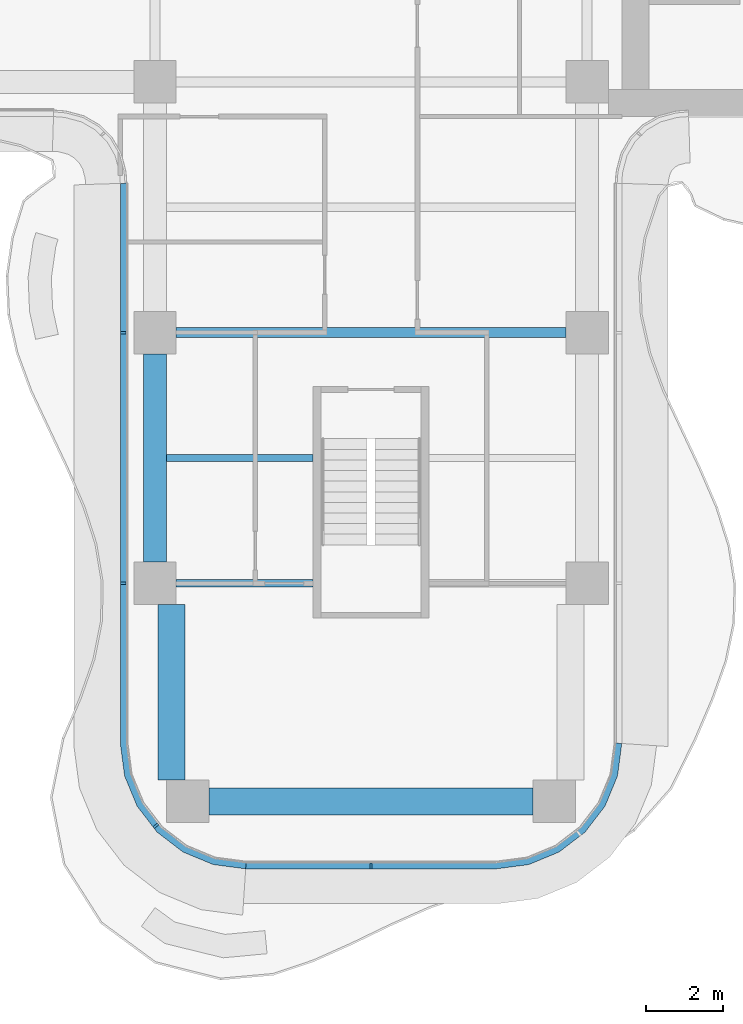
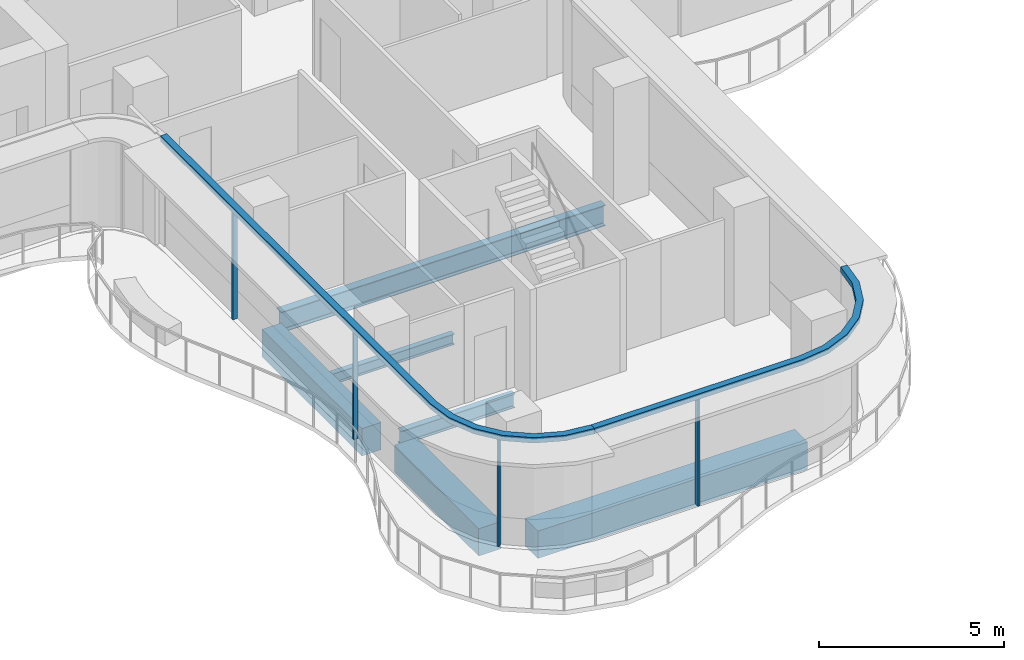
# One storey, part 2 of 19: 6 beams, 6 members, 2 elements without a shape of their own.
"""IFC4 building model written with IfcOpenShell, lengths in metres."""

from ifc_helpers import new_model, si_unit, direction, frame, origin, origin_2d, place, context, subcontext, project, spatial, polyline, rectangle, i_section, outline, extrude, source, transform, mapped, material, layer, layer_set, material_profile, profile_set, type_object, element, aggregate, save


model = new_model("IFC4")

# Units and contexts
model_context = context("Model", 3, precision=1e-05, world=origin(), true_north=direction((0.0, 1.0)))
body_context = subcontext(model_context, "Body", "Model", "MODEL_VIEW")
ifc_project = project(units=[si_unit("LENGTHUNIT", "METRE"), si_unit("AREAUNIT", "SQUARE_METRE"), si_unit("VOLUMEUNIT", "CUBIC_METRE"), si_unit("PLANEANGLEUNIT", "RADIAN"), si_unit("MASSUNIT", "GRAM", prefix="KILO")], contexts=[model_context])

# Site, building, storey
site_placement = place(None, origin())
site = spatial("IfcSite", under=ifc_project, at=site_placement, CompositionType="ELEMENT")
building_placement = place(site_placement, origin())
building = spatial("IfcBuilding", under=site, at=building_placement, Name="Trellis Farm Tower", CompositionType="ELEMENT")
storey_placement = place(building_placement, frame((0.0, 0.0, 228.5)))
storey = spatial("IfcBuildingStorey", under=building, at=storey_placement, Name="L50", CompositionType="ELEMENT", Elevation=228.5)

# Beams
ifc_material_1 = material(Name="Steel S355", Category="steel")
ifc_material_profile_1 = material_profile(ifc_material_1, i_section(OverallWidth=0.17138671875, OverallDepth=0.35498046875, WebThickness=0.00732421875, FlangeThickness=0.011474609375, FilletRadius=0.01025390625, at=origin_2d()), Name="UB 356x171x51")
ifc_profile_set_1 = profile_set([ifc_material_profile_1], Name="Steel S355")
beam_type_1 = type_object("IfcBeamType", Name="UB 356x171x51 joist", PredefinedType="JOIST", material=ifc_profile_set_1)
shared_shape_1 = source(origin(), body_context, "Body", "SweptSolid", [
    extrude(i_section(OverallWidth=0.17138671875, OverallDepth=0.35498046875, WebThickness=0.00732421875, FlangeThickness=0.011474609375, FilletRadius=0.01025390625, at=origin_2d()), origin(), (0.0, 0.0, 1.0), 3.800048828125),
])
beam_1_placement = place(storey_placement, frame((-5.300048828125, -15.35009765625, -0.37744140625), z_axis=(1.0, 0.0, 0.0), x_axis=(0.0, 1.0, 0.0)))
element("IfcBeam", 1, at=beam_1_placement, inside=storey, type_object=beam_type_1, Name="Floor beam", PredefinedType="JOIST", context=body_context, shape_type="MappedRepresentation", body=[
    mapped(shared_shape_1, transform((0.0, 0.0, 0.0))),
])
ifc_material_profile_2 = material_profile(ifc_material_1, i_section(OverallWidth=0.1904296875, OverallDepth=0.45703125, WebThickness=0.009033203125, FlangeThickness=0.014404296875, FilletRadius=0.01025390625, at=origin_2d()), Name="UB 457x191x74")
ifc_profile_set_2 = profile_set([ifc_material_profile_2], Name="Steel S355")
beam_type_2 = type_object("IfcBeamType", Name="UB 457x191x74", PredefinedType="BEAM", material=ifc_profile_set_2)
shared_shape_2 = source(origin(), body_context, "Body", "SweptSolid", [
    extrude(i_section(OverallWidth=0.1904296875, OverallDepth=0.45703125, WebThickness=0.009033203125, FlangeThickness=0.014404296875, FilletRadius=0.01025390625, at=origin_2d()), origin(), (0.0, 0.0, 1.0), 3.550048828125),
])
beam_2_placement = place(storey_placement, frame((-5.050048828125, -18.60009765625, -0.428466796875), z_axis=(1.0, 0.0, 0.0), x_axis=(0.0, 1.0, 0.0)))
element("IfcBeam", 2, at=beam_2_placement, inside=storey, type_object=beam_type_2, Name="Girder", PredefinedType="BEAM", context=body_context, shape_type="MappedRepresentation", body=[
    mapped(shared_shape_2, transform((0.0, 0.0, 0.0))),
])
ifc_material_profile_3 = material_profile(ifc_material_1, i_section(OverallWidth=0.253662109375, OverallDepth=0.68359375, WebThickness=0.012451171875, FlangeThickness=0.021728515625, FilletRadius=0.01513671875, at=origin_2d()), Name="UB 686x254x140")
ifc_profile_set_3 = profile_set([ifc_material_profile_3], Name="Steel S355")
beam_type_3 = type_object("IfcBeamType", Name="UB 686x254x140", PredefinedType="BEAM", material=ifc_profile_set_3)
shared_shape_3 = source(origin(), body_context, "Body", "SweptSolid", [
    extrude(i_section(OverallWidth=0.253662109375, OverallDepth=0.68359375, WebThickness=0.012451171875, FlangeThickness=0.021728515625, FilletRadius=0.01513671875, at=origin_2d()), origin(), (0.0, 0.0, 1.0), 10.10009765625),
])
beam_3_placement = place(storey_placement, frame((-5.050048828125, -12.10009765625, -0.541748046875), z_axis=(1.0, 0.0, 0.0), x_axis=(0.0, 1.0, 0.0)))
element("IfcBeam", 3, at=beam_3_placement, inside=storey, type_object=beam_type_3, Name="Girder", PredefinedType="BEAM", context=body_context, shape_type="MappedRepresentation", body=[
    mapped(shared_shape_3, transform((0.0, 0.0, 0.0))),
])
ifc_material_2 = material(Name="Concrete C60/75", Category="concrete")
ifc_material_profile_4 = material_profile(ifc_material_2, rectangle(XDim=0.60009765625, YDim=0.89990234375, at=origin_2d()), Name="RC spandrel beam 600x900 C60/75")
ifc_profile_set_4 = profile_set([ifc_material_profile_4], Name="Concrete C60/75")
beam_type_4 = type_object("IfcBeamType", Name="RC spandrel beam 600x900 C60/75", PredefinedType="SPANDREL", material=ifc_profile_set_4)
shared_shape_4 = source(origin(), body_context, "Body", "SweptSolid", [
    extrude(rectangle(XDim=0.60009765625, YDim=0.89990234375, at=origin_2d()), origin(), (0.0, 0.0, 1.0), 5.400146484375),
])
beam_4_placement = place(storey_placement, frame((-5.60009765625, -18.050048828125, -0.64990234375), z_axis=(0.0, 1.0, 0.0), x_axis=(-1.0, 0.0, 0.0)))
element("IfcBeam", 4, at=beam_4_placement, inside=storey, type_object=beam_type_4, Name="Girder", PredefinedType="SPANDREL", context=body_context, shape_type="MappedRepresentation", body=[
    mapped(shared_shape_4, transform((0.0, 0.0, 0.0))),
])
ifc_material_profile_5 = material_profile(ifc_material_2, rectangle(XDim=0.699951171875, YDim=0.89990234375, at=origin_2d()), Name="RC spandrel beam 700x900 C60/75")
ifc_profile_set_5 = profile_set([ifc_material_profile_5], Name="Concrete C60/75")
beam_type_5 = type_object("IfcBeamType", Name="RC spandrel beam 700x900 C60/75", PredefinedType="SPANDREL", material=ifc_profile_set_5)
shared_shape_5 = source(origin(), body_context, "Body", "SweptSolid", [
    extrude(rectangle(XDim=0.699951171875, YDim=0.89990234375, at=origin_2d()), origin(), (0.0, 0.0, 1.0), 8.39990234375),
])
beam_5_placement = place(storey_placement, frame((-4.199951171875, -24.25, -0.64990234375), z_axis=(1.0, 0.0, 0.0), x_axis=(0.0, 1.0, 0.0)))
element("IfcBeam", 5, at=beam_5_placement, inside=storey, type_object=beam_type_5, Name="Girder", PredefinedType="SPANDREL", context=body_context, shape_type="MappedRepresentation", body=[
    mapped(shared_shape_5, transform((0.0, 0.0, 0.0))),
])
shared_shape_6 = source(origin(), body_context, "Body", "SweptSolid", [
    extrude(rectangle(XDim=0.699951171875, YDim=0.89990234375, at=origin_2d()), origin(), (0.0, 0.0, 1.0), 4.550048828125),
])
beam_6_placement = place(storey_placement, frame((-5.175048828125, -23.699951171875, -0.64990234375), z_axis=(0.0, 1.0, 0.0), x_axis=(-1.0, 0.0, 0.0)))
element("IfcBeam", 6, at=beam_6_placement, inside=storey, type_object=beam_type_5, Name="Girder", PredefinedType="SPANDREL", context=body_context, shape_type="MappedRepresentation", body=[
    mapped(shared_shape_6, transform((0.0, 0.0, 0.0))),
])

# Curtain wall, member
ifc_material_3 = material(Name="Aluminium and glass curtain wall", Category="aluminium")
ifc_layer_1 = layer(ifc_material_3, 0.18994140625)
ifc_layer_set_1 = layer_set([ifc_layer_1], Name="RIBBON CURTAIN WALL CW1")
curtain_wall_type = type_object("IfcCurtainWallType", Name="RIBBON CURTAIN WALL CW1", PredefinedType="NOTDEFINED", material=ifc_layer_set_1)
placement_1 = place(storey_placement, origin())
curtain_wall_1 = element("IfcCurtainWall", 7, at=placement_1, inside=storey, type_object=curtain_wall_type, Name="CW1 002", PredefinedType="NOTDEFINED")
ifc_material_4 = material(Name="Aluminium extrusion 6063-T6", Category="aluminium")
ifc_layer_2 = layer(ifc_material_4, 0.199951171875)
ifc_layer_set_2 = layer_set([ifc_layer_2], Name="Aluminium extrusion 6063-T6")
member_type_1 = type_object("IfcMemberType", Name="CW1 TRANSOM 200x180", PredefinedType="USERDEFINED", material=ifc_layer_set_2)
shared_shape_7 = source(origin(), body_context, "Body", "SweptSolid", [
    extrude(outline(polyline([(-6.5, -8.2314453125), (-6.5, -22.75), (-6.38916015625, -23.591064453125), (-6.064697265625, -24.375), (-5.548095703125, -25.048095703125), (-4.875, -25.564697265625), (-4.091064453125, -25.88916015625), (-3.25, -26.0), (-3.23681640625, -25.800048828125), (-4.0390625, -25.6943359375), (-4.774169921875, -25.389892578125), (-5.405517578125, -24.905517578125), (-5.889892578125, -24.274169921875), (-6.1943359375, -23.5390625), (-6.300048828125, -22.73681640625), (-6.300048828125, -8.224853515625), (-6.5, -8.2314453125)])), origin(), (0.0, 0.0, 1.0), 0.179931640625),
])
placement_2 = place(storey_placement, frame((0.0, 0.0, 3.52001953125)))
member_1 = element("IfcMember", 8, at=placement_2, type_object=member_type_1, Name="TR1 002", ObjectType="TRANSOM", PredefinedType="USERDEFINED", context=body_context, shape_type="MappedRepresentation", body=[
    mapped(shared_shape_7, transform((0.0, 0.0, 0.0))),
])

curtain_wall_2 = element("IfcCurtainWall", 9, at=placement_1, inside=storey, type_object=curtain_wall_type, Name="CW1 003", PredefinedType="NOTDEFINED")
shared_shape_8 = source(origin(), body_context, "Body", "SweptSolid", [
    extrude(outline(polyline([(-3.25, -26.0), (3.25, -26.0), (4.091064453125, -25.88916015625), (4.875, -25.564697265625), (5.548095703125, -25.048095703125), (6.064697265625, -24.375), (6.38916015625, -23.591064453125), (6.5, -22.75), (6.300048828125, -22.73681640625), (6.1943359375, -23.5390625), (5.889892578125, -24.274169921875), (5.405517578125, -24.905517578125), (4.774169921875, -25.389892578125), (4.0390625, -25.6943359375), (3.23681640625, -25.800048828125), (-3.23681640625, -25.800048828125), (-3.25, -26.0)])), origin(), (0.0, 0.0, 1.0), 0.179931640625),
])
member_2 = element("IfcMember", 10, at=placement_2, type_object=member_type_1, Name="TR1 003", ObjectType="TRANSOM", PredefinedType="USERDEFINED", context=body_context, shape_type="MappedRepresentation", body=[
    mapped(shared_shape_8, transform((0.0, 0.0, 0.0))),
])

# Member
ifc_material_profile_6 = material_profile(ifc_material_4, rectangle(XDim=0.06005859375, YDim=0.14990234375, at=origin_2d()), Name="MULLION 60x150")
ifc_profile_set_6 = profile_set([ifc_material_profile_6], Name="Aluminium extrusion 6063-T6")
member_type_2 = type_object("IfcMemberType", Name="CW1 MULLION 60x150", PredefinedType="MULLION", material=ifc_profile_set_6)
shared_shape_9 = source(origin(), body_context, "Body", "SweptSolid", [
    extrude(rectangle(XDim=0.06005859375, YDim=0.14990234375, at=origin_2d()), origin(), (0.0, 0.0, 1.0), 3.52001953125),
])
member_3_placement = place(storey_placement, frame((-6.425048828125, -12.10009765625, 0.0), z_axis=(0.0, 0.0, 1.0), x_axis=(0.0, -1.0, 0.0)))
member_3 = element("IfcMember", 11, at=member_3_placement, type_object=member_type_2, Name="MU1 002-01", PredefinedType="MULLION", context=body_context, shape_type="MappedRepresentation", body=[
    mapped(shared_shape_9, transform((0.0, 0.0, 0.0))),
])

member_4_placement = place(storey_placement, frame((-6.425048828125, -18.60009765625, 0.0), z_axis=(0.0, 0.0, 1.0), x_axis=(0.0, -1.0, 0.0)))
member_4 = element("IfcMember", 12, at=member_4_placement, type_object=member_type_2, Name="MU1 002-02", PredefinedType="MULLION", context=body_context, shape_type="MappedRepresentation", body=[
    mapped(shared_shape_9, transform((0.0, 0.0, 0.0))),
])

member_5_placement = place(storey_placement, frame((-5.578369140625, -24.885498046875, 0.0), z_axis=(0.0, 0.0, 1.0), x_axis=(0.608761429009, -0.793353340291, 0.0)))
member_5 = element("IfcMember", 13, at=member_5_placement, type_object=member_type_2, Name="MU1 002-03", PredefinedType="MULLION", context=body_context, shape_type="MappedRepresentation", body=[
    mapped(shared_shape_9, transform((0.0, 0.0, 0.0))),
])

aggregate(curtain_wall_1, [member_3, member_4, member_5, member_1])

member_6_placement = place(storey_placement, frame((0.0, -25.925048828125, 0.0), z_axis=(0.0, 0.0, 1.0), x_axis=(1.0, 0.0, 0.0)))
member_6 = element("IfcMember", 14, at=member_6_placement, type_object=member_type_2, Name="MU1 003-01", PredefinedType="MULLION", context=body_context, shape_type="MappedRepresentation", body=[
    mapped(shared_shape_9, transform((0.0, 0.0, 0.0))),
])

aggregate(curtain_wall_2, [member_6, member_2])

save(model, "model.ifc")
